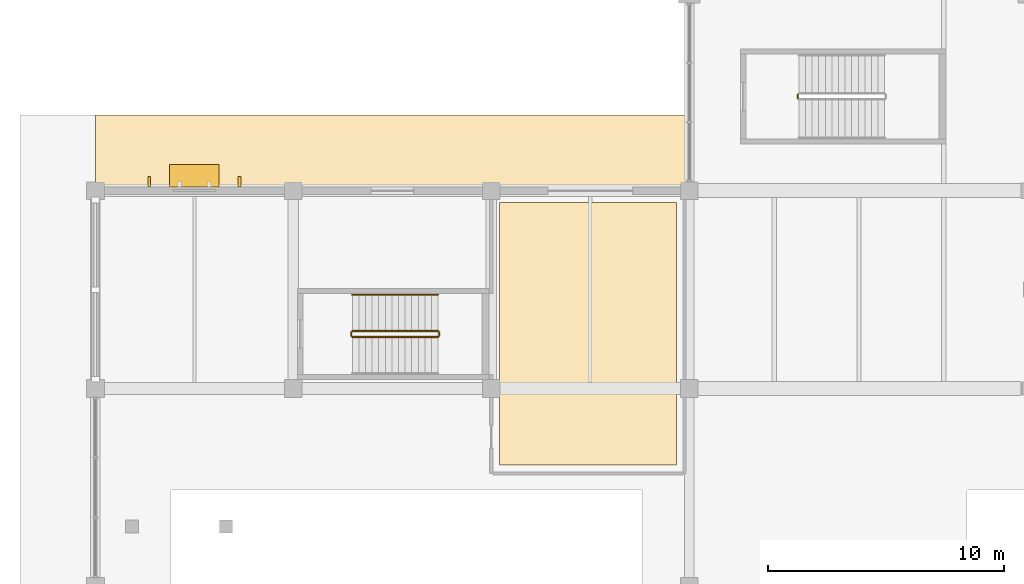
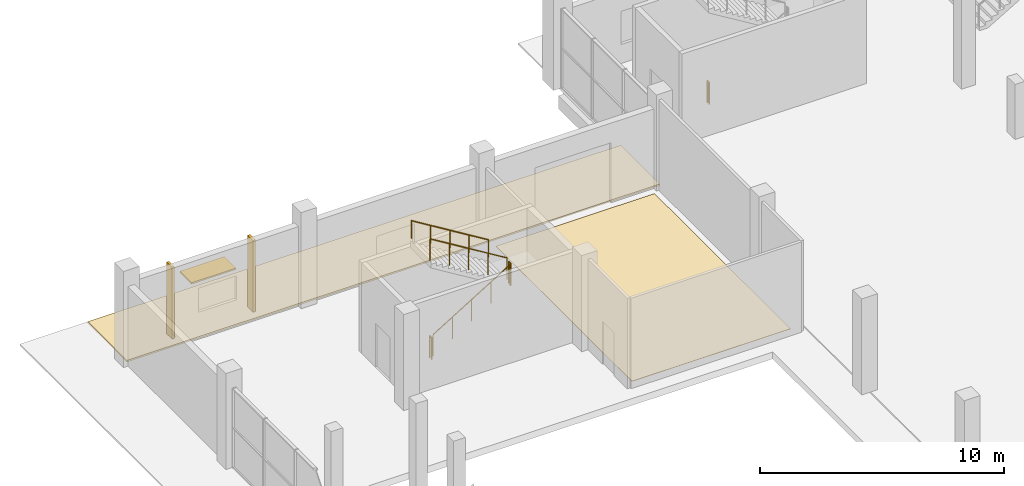
# One storey, part 117 of 130: 6 railings, 3 shading devices, 2 coverings.
"""IFC4 building model written with IfcOpenShell, lengths in metres."""

from ifc_helpers import new_model, si_unit, direction, frame, origin, origin_2d, place, context, subcontext, project, spatial, polyline, rectangle, circle, outline, extrude, material, layer, layer_set, type_object, element, save


model = new_model("IFC4")

# Units and contexts
model_context = context("Model", 3, precision=1e-05, world=origin(), true_north=direction((0.0, 1.0)))
body_context = subcontext(model_context, "Body", "Model", "MODEL_VIEW")
ifc_project = project(units=[si_unit("LENGTHUNIT", "METRE"), si_unit("AREAUNIT", "SQUARE_METRE"), si_unit("VOLUMEUNIT", "CUBIC_METRE"), si_unit("PLANEANGLEUNIT", "RADIAN"), si_unit("MASSUNIT", "GRAM", prefix="KILO"), si_unit("THERMODYNAMICTEMPERATUREUNIT", "KELVIN")], contexts=[model_context])

# Site, building, storey
site_placement = place(None, origin())
site = spatial("IfcSite", under=ifc_project, at=site_placement, CompositionType="ELEMENT")
building_placement = place(site_placement, origin())
building = spatial("IfcBuilding", under=site, at=building_placement, Name="Nduvali Passage Aquatics Centre", CompositionType="ELEMENT")
storey_placement = place(building_placement, origin())
storey = spatial("IfcBuildingStorey", under=building, at=storey_placement, Name="L00", CompositionType="ELEMENT", Elevation=0.0)

# Shading devices
ifc_material_1 = material(Name="Glulam GL28h", Category="wood")
shading_device_type_1 = type_object("IfcShadingDeviceType", Name="ENV-SHD-FIN1", PredefinedType="USERDEFINED", material=ifc_material_1)
for number, where, z_axis, x_axis, name in (
    (1, (6.112548828125, 84.375, 0.2001953125), (0.0, 0.0, 1.0), (-1.0, 0.0, 0.0), "L00 Vertical Glulam Facade Fin 0059"),
    (2, (2.28759765625, 84.375, 0.2001953125), (0.0, 0.0, 1.0), (-1.0, 0.0, 0.0), "L00 Vertical Glulam Facade Fin 0060"),
):
    element("IfcShadingDevice", number, at=place(storey_placement, frame(where, z_axis=z_axis, x_axis=x_axis)), inside=storey, type_object=shading_device_type_1, Name=name, ObjectType="VERTICAL FIN", PredefinedType="USERDEFINED", context=body_context, shape_type="SweptSolid", body=[
        extrude(rectangle(XDim=0.1201171875, YDim=0.43994140625, at=origin_2d()), origin(), (0.0, 0.0, 1.0), 3.576416015625),
    ])
ifc_material_2 = material(Name="Aluminium EN AW-6063 T6", Category="aluminium")
ifc_layer_1 = layer(ifc_material_2, 0.080078125, Name="Aluminium EN AW-6063 T6")
ifc_layer_set_1 = layer_set([ifc_layer_1], Name="Aluminium EN AW-6063 T6")
shading_device_type_2 = type_object("IfcShadingDeviceType", Name="ENV-SHD-SUN2", PredefinedType="AWNING", material=ifc_layer_set_1)
shading_device_placement = place(storey_placement, frame((4.199951171875, 84.625, 2.60986328125), z_axis=(0.0, 0.0, 1.0), x_axis=(-1.0, 0.0, 0.0)))
element("IfcShadingDevice", 3, at=shading_device_placement, inside=storey, type_object=shading_device_type_2, Name="L00 Horizontal Monsoon Sunshade 0058", PredefinedType="AWNING", context=body_context, shape_type="SweptSolid", body=[
    extrude(rectangle(XDim=2.10009765625, YDim=0.949951171875, at=origin_2d()), origin(), (0.0, 0.0, 1.0), 0.080078125),
])

# Covering
ifc_material_3 = material(Name="Resilient sports rubber flooring")
ifc_layer_2 = layer(ifc_material_3, 0.02001953125, Name="Resilient sports rubber flooring")
ifc_layer_set_2 = layer_set([ifc_layer_2], Name="Resilient sports rubber flooring")
covering_type_1 = type_object("IfcCoveringType", Name="INT-COV-SPORT", PredefinedType="FLOORING", material=ifc_layer_set_2)
covering_1_placement = place(storey_placement, origin())
element("IfcCovering", 4, at=covering_1_placement, inside=storey, type_object=covering_type_1, Name="L00 Dryland Dive Trampoline and Harness Training Room Floor Finish", PredefinedType="FLOORING", context=body_context, shape_type="SweptSolid", body=[
    extrude(outline(polyline([(17.14990234375, 72.35009765625), (24.64990234375, 72.35009765625), (24.64990234375, 83.489990234375), (17.14990234375, 83.489990234375), (17.14990234375, 72.35009765625)])), origin(), (0.0, 0.0, 1.0), 0.02001953125),
])

# Railings
ifc_material_4 = material(Name="Stainless steel balustrade", Category="steel")
railing_type_1 = type_object("IfcRailingType", Name="INT-RLG-GRD110", PredefinedType="GUARDRAIL", material=ifc_material_4)
railing_1_placement = place(storey_placement, frame((29.800048828125, 87.919921875, 0.0)))
element("IfcRailing", 5, at=railing_1_placement, inside=storey, type_object=railing_type_1, Name="L00 ST10 stair guard 4", PredefinedType="GUARDRAIL", context=body_context, shape_type="SweptSolid", body=[
    extrude(circle(Radius=0.02392578125, at=origin_2d()), frame((0.0, 0.0, 1.076171875), z_axis=(0.0, 1.0, 0.0), x_axis=(-1.0, 0.0, 0.0)), (0.0, 0.0, 1.0), 0.150146484375),
    extrude(circle(Radius=0.02099609375, at=origin_2d()), origin(), (0.0, 0.0, 1.0), 1.052001953125),
    extrude(circle(Radius=0.02099609375, at=origin_2d()), frame((0.0, 0.150146484375, 0.0)), (0.0, 0.0, 1.0), 1.052001953125),
])
railing_2_placement = place(storey_placement, frame((10.89990234375, 77.7900390625, 0.17138671875)))
element("IfcRailing", 6, at=railing_2_placement, inside=storey, type_object=railing_type_1, Name="L00 ST12 stair guard 1", PredefinedType="GUARDRAIL", context=body_context, shape_type="SweptSolid", body=[
    extrude(circle(Radius=0.02392578125, at=origin_2d()), frame((0.0, 0.0, 1.076171875), z_axis=(0.852865859571, 0.0, 0.52213008492), x_axis=(0.0, 1.0, 0.0)), (0.0, 0.0, 1.0), 4.26806640625),
    extrude(circle(Radius=0.02099609375, at=origin_2d()), origin(), (0.0, 0.0, 1.0), 1.052001953125),
    extrude(circle(Radius=0.02099609375, at=origin_2d()), frame((0.91015625, 0.0, 0.55712890625)), (0.0, 0.0, 1.0), 1.052001953125),
    extrude(circle(Radius=0.02099609375, at=origin_2d()), frame((1.820068359375, 0.0, 1.1142578125)), (0.0, 0.0, 1.0), 1.052001953125),
    extrude(circle(Radius=0.02099609375, at=origin_2d()), frame((2.72998046875, 0.0, 1.67138671875)), (0.0, 0.0, 1.0), 1.052001953125),
    extrude(circle(Radius=0.02099609375, at=origin_2d()), frame((3.64013671875, 0.0, 2.228515625)), (0.0, 0.0, 1.0), 1.052001953125),
])
railing_3_placement = place(storey_placement, frame((14.590087890625, 77.840087890625, 2.39990234375)))
element("IfcRailing", 7, at=railing_3_placement, inside=storey, type_object=railing_type_1, Name="L00 ST12 stair guard 2", PredefinedType="GUARDRAIL", context=body_context, shape_type="SweptSolid", body=[
    extrude(circle(Radius=0.02392578125, at=origin_2d()), frame((0.0, 0.0, 1.076171875), z_axis=(0.0, 1.0, 0.0), x_axis=(-1.0, 0.0, 0.0)), (0.0, 0.0, 1.0), 0.14990234375),
    extrude(circle(Radius=0.02099609375, at=origin_2d()), origin(), (0.0, 0.0, 1.0), 1.052001953125),
    extrude(circle(Radius=0.02099609375, at=origin_2d()), frame((0.0, 0.14990234375, 0.0)), (0.0, 0.0, 1.0), 1.052001953125),
])
railing_4_placement = place(storey_placement, frame((14.5400390625, 78.0400390625, 2.571533203125)))
element("IfcRailing", 8, at=railing_4_placement, inside=storey, type_object=railing_type_1, Name="L00 ST12 stair guard 3", PredefinedType="GUARDRAIL", context=body_context, shape_type="SweptSolid", body=[
    extrude(circle(Radius=0.02392578125, at=origin_2d()), frame((0.0, 0.0, 1.076171875), z_axis=(-0.852865859571, 0.0, 0.52213008492), x_axis=(0.0, -1.0, 0.0)), (0.0, 0.0, 1.0), 4.26806640625),
    extrude(circle(Radius=0.02099609375, at=origin_2d()), origin(), (0.0, 0.0, 1.0), 1.052001953125),
    extrude(circle(Radius=0.02099609375, at=origin_2d()), frame((-0.91015625, 0.0, 0.55712890625)), (0.0, 0.0, 1.0), 1.052001953125),
    extrude(circle(Radius=0.02099609375, at=origin_2d()), frame((-1.820068359375, 0.0, 1.1142578125)), (0.0, 0.0, 1.0), 1.052001953125),
    extrude(circle(Radius=0.02099609375, at=origin_2d()), frame((-2.72998046875, 0.0, 1.67138671875)), (0.0, 0.0, 1.0), 1.052001953125),
    extrude(circle(Radius=0.02099609375, at=origin_2d()), frame((-3.64013671875, 0.0, 2.228515625)), (0.0, 0.0, 1.0), 1.052001953125),
])
railing_5_placement = place(storey_placement, frame((10.85009765625, 77.840087890625, 0.0)))
element("IfcRailing", 9, at=railing_5_placement, inside=storey, type_object=railing_type_1, Name="L00 ST12 stair guard 4", PredefinedType="GUARDRAIL", context=body_context, shape_type="SweptSolid", body=[
    extrude(circle(Radius=0.02392578125, at=origin_2d()), frame((0.0, 0.0, 1.076171875), z_axis=(0.0, 1.0, 0.0), x_axis=(-1.0, 0.0, 0.0)), (0.0, 0.0, 1.0), 0.14990234375),
    extrude(circle(Radius=0.02099609375, at=origin_2d()), origin(), (0.0, 0.0, 1.0), 1.052001953125),
    extrude(circle(Radius=0.02099609375, at=origin_2d()), frame((0.0, 0.14990234375, 0.0)), (0.0, 0.0, 1.0), 1.052001953125),
])
railing_type_2 = type_object("IfcRailingType", Name="INT-RLG-HND90", PredefinedType="HANDRAIL", material=ifc_material_4)
railing_6_placement = place(storey_placement, frame((14.5400390625, 79.580078125, 2.746337890625)))
element("IfcRailing", 10, at=railing_6_placement, inside=storey, type_object=railing_type_2, Name="L00 ST12 stair handrail 2", PredefinedType="HANDRAIL", context=body_context, shape_type="SweptSolid", body=[
    extrude(circle(Radius=0.02392578125, at=origin_2d()), frame((0.0, 0.0, 0.8759765625), z_axis=(-0.852865859571, 0.0, 0.52213008492), x_axis=(0.0, -1.0, 0.0)), (0.0, 0.0, 1.0), 4.26806640625),
    extrude(circle(Radius=0.02099609375, at=origin_2d()), origin(), (0.0, 0.0, 1.0), 0.851806640625),
    extrude(circle(Radius=0.02099609375, at=origin_2d()), frame((-0.91015625, 0.0, 0.55712890625)), (0.0, 0.0, 1.0), 0.851806640625),
    extrude(circle(Radius=0.02099609375, at=origin_2d()), frame((-1.820068359375, 0.0, 1.1142578125)), (0.0, 0.0, 1.0), 0.851806640625),
    extrude(circle(Radius=0.02099609375, at=origin_2d()), frame((-2.72998046875, 0.0, 1.67138671875)), (0.0, 0.0, 1.0), 0.851806640625),
    extrude(circle(Radius=0.02099609375, at=origin_2d()), frame((-3.64013671875, 0.0, 2.228515625)), (0.0, 0.0, 1.0), 0.851806640625),
])

# Covering
ifc_material_5 = material(Name="Coral-stone masonry blockwork", Category="masonry")
ifc_layer_3 = layer(ifc_material_5, 0.080078125, Name="Coral-stone masonry blockwork")
ifc_layer_set_3 = layer_set([ifc_layer_3], Name="Coral-stone masonry blockwork")
covering_type_2 = type_object("IfcCoveringType", Name="STR-COV-PAV80", PredefinedType="USERDEFINED", material=ifc_layer_set_3)
covering_2_placement = place(storey_placement, frame((0.0, 0.0, -0.080078125)))
element("IfcCovering", 11, at=covering_2_placement, inside=storey, type_object=covering_type_2, Name="L00 Diving North Exit Paving", ObjectType="PAVING", PredefinedType="USERDEFINED", context=body_context, shape_type="SweptSolid", body=[
    extrude(outline(polyline([(0.0, 84.0), (25.199951171875, 84.0), (25.199951171875, 87.199951171875), (0.0, 87.199951171875), (0.0, 84.0)])), origin(), (0.0, 0.0, 1.0), 0.080078125),
])

save(model, "model.ifc")
